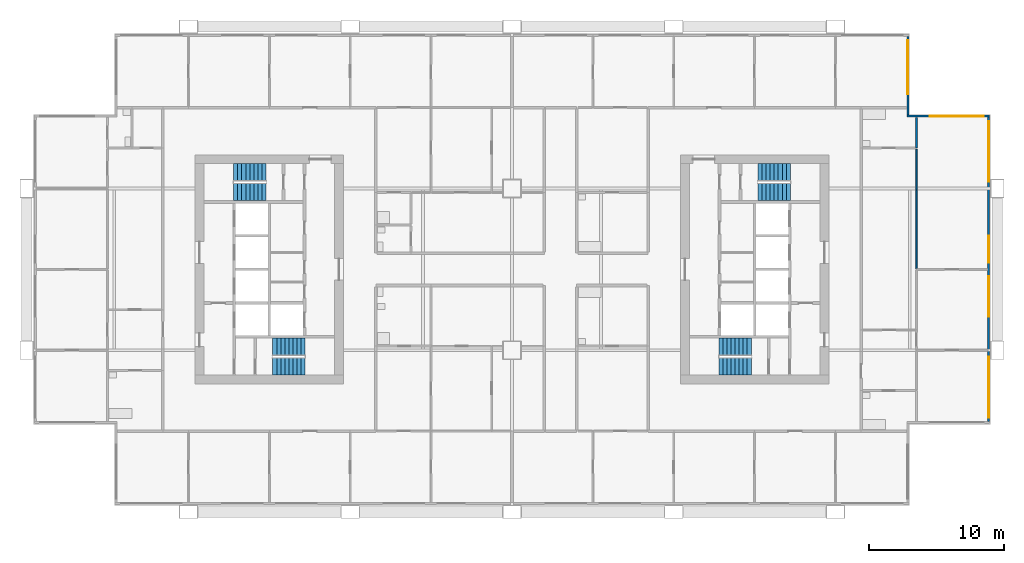
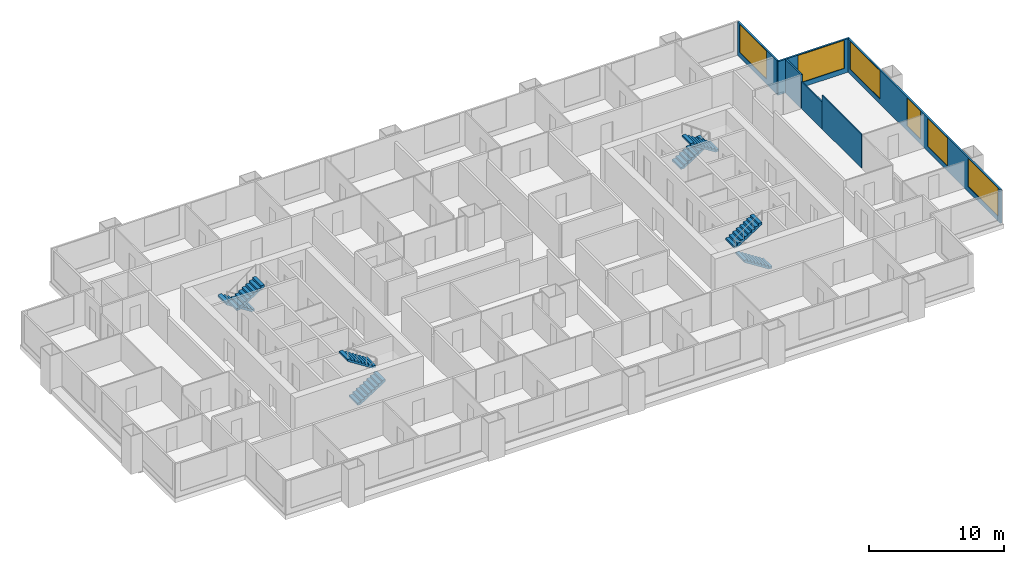
# One storey, part 9 of 11: 8 stair flights, 6 walls, 6 windows, 6 openings, 4 elements without a shape of their own.
"""IFC4 building model written with IfcOpenShell, lengths in metres."""

from ifc_helpers import new_model, si_unit, direction, frame, frame_2d, origin, place, context, subcontext, project, spatial, polyline, rectangle, outline, extrude, material, layer, layer_set, type_object, element, fill, aggregate, save


model = new_model("IFC4")

# Units and contexts
model_context = context("Model", 3, precision=1e-05, world=origin(), true_north=direction((0.0, 1.0)))
body_context = subcontext(model_context, "Body", "Model", "MODEL_VIEW")
ifc_project = project(units=[si_unit("LENGTHUNIT", "METRE"), si_unit("AREAUNIT", "SQUARE_METRE"), si_unit("VOLUMEUNIT", "CUBIC_METRE"), si_unit("PLANEANGLEUNIT", "RADIAN"), si_unit("MASSUNIT", "GRAM", prefix="KILO")], contexts=[model_context])

# Site, building, storey
site_placement = place(None, origin())
site = spatial("IfcSite", under=ifc_project, at=site_placement, CompositionType="ELEMENT")
building_placement = place(site_placement, origin())
building = spatial("IfcBuilding", under=site, at=building_placement, Name="Kitamizu Gate Tower and Museum", CompositionType="ELEMENT")
storey_placement = place(building_placement, frame((0.0, 0.0, 127.64990234375)))
storey = spatial("IfcBuildingStorey", under=building, at=storey_placement, Name="L33", CompositionType="ELEMENT", Elevation=127.64990234375)

# Walls
ifc_material_1 = material(Name="Gypsum board on galvanised stud")
ifc_layer_1 = layer(ifc_material_1, 0.10009765625)
ifc_layer_set_1 = layer_set([ifc_layer_1], Name="Gypsum board on galvanised stud")
wall_type_1 = type_object("IfcWallType", Name="Partition 100 NOT RATED", PredefinedType="PARTITIONING", material=ifc_layer_set_1)
wall_1_placement = place(storey_placement, frame((66.0, 38.925048828125, 0.0), z_axis=(0.0, 0.0, 1.0), x_axis=(0.0, -1.0, 0.0)))
element("IfcWall", 1, at=wall_1_placement, inside=storey, type_object=wall_type_1, Name="Partition L33-131", PredefinedType="PARTITIONING", context=body_context, shape_type="SweptSolid", body=[
    extrude(rectangle(XDim=3.025146484375, YDim=0.10009765625, at=frame_2d((1.5126953125, 0.0))), origin(), (0.0, 0.0, 1.0), 2.4501953125),
])
wall_2_placement = place(storey_placement, frame((66.0, 35.89990234375, 0.0), z_axis=(0.0, 0.0, 1.0), x_axis=(0.0, -1.0, 0.0)))
element("IfcWall", 2, at=wall_2_placement, inside=storey, type_object=wall_type_1, Name="Partition L33-132", PredefinedType="PARTITIONING", context=body_context, shape_type="SweptSolid", body=[
    extrude(rectangle(XDim=5.849853515625, YDim=0.10009765625, at=frame_2d((2.9248046875, 0.0))), origin(), (0.0, 0.0, 1.0), 3.050048828125),
])
ifc_material_2 = material(Name="Gypsum board on galvanised stud")
ifc_layer_2 = layer(ifc_material_2, 0.14990234375)
ifc_layer_set_2 = layer_set([ifc_layer_2], Name="Gypsum board on galvanised stud")
wall_type_2 = type_object("IfcWallType", Name="Partition 150", PredefinedType="PARTITIONING", material=ifc_layer_set_2)
wall_3_placement = place(storey_placement, frame((66.0, 41.280029296875, 0.0), z_axis=(0.0, 0.0, 1.0), x_axis=(0.0, -1.0, 0.0)))
element("IfcWall", 3, at=wall_3_placement, inside=storey, type_object=wall_type_2, Name="Partition L33-133", PredefinedType="PARTITIONING", context=body_context, shape_type="SweptSolid", body=[
    extrude(rectangle(XDim=2.280029296875, YDim=0.14990234375, at=frame_2d((1.14013671875, 0.0))), origin(), (0.0, 0.0, 1.0), 3.050048828125),
])

# Wall, openings, windows
ifc_material_3 = material(Name="Bronze anodised aluminium frame with insulated spandrel and tinted glass", Category="aluminium")
ifc_layer_3 = layer(ifc_material_3, 0.14990234375)
ifc_layer_set_3 = layer_set([ifc_layer_3], Name="Bronze anodised aluminium frame with insulated spandrel and tinted glass")
wall_type_3 = type_object("IfcWallType", Name="WINDOW WALL 150 BRONZE FRAME EI 30", PredefinedType="ELEMENTEDWALL", material=ifc_layer_set_3)
wall_4_placement = place(storey_placement, frame((71.364990234375, 18.7099609375, 0.0), z_axis=(0.0, 0.0, 1.0), x_axis=(0.0, 1.0, 0.0)))
wall_4 = element("IfcWall", 4, at=wall_4_placement, inside=storey, type_object=wall_type_3, Name="Window wall east L33", PredefinedType="ELEMENTEDWALL", context=body_context, shape_type="SweptSolid", body=[
    extrude(rectangle(XDim=22.580078125, YDim=0.14990234375, at=frame_2d((11.2900390625, 0.0))), origin(), (0.0, 0.0, 1.0), 3.050048828125),
])
opening_1_placement = place(wall_4_placement, frame((0.2900390625, 0.0, 0.449951171875)))
opening_1 = element("IfcOpeningElement", 5, at=opening_1_placement, cuts=wall_4, Name="Opening W15", PredefinedType="OPENING", context=body_context, shape_type="SweptSolid", body=[
    extrude(rectangle(XDim=4.5, YDim=2.550048828125, at=frame_2d((2.25, 1.27490234375))), frame((0.0, 0.0849609375, 0.0), z_axis=(0.0, -1.0, 0.0), x_axis=(1.0, 0.0, 0.0)), (0.0, 0.0, 1.0), 0.169921875),
])
opening_2_placement = place(wall_4_placement, frame((7.7900390625, 0.0, 0.449951171875)))
opening_2 = element("IfcOpeningElement", 6, at=opening_2_placement, cuts=wall_4, Name="Opening W33", PredefinedType="OPENING", context=body_context, shape_type="SweptSolid", body=[
    extrude(rectangle(XDim=3.0, YDim=2.550048828125, at=frame_2d((1.5, 1.27490234375))), frame((0.0, 0.0849609375, 0.0), z_axis=(0.0, -1.0, 0.0), x_axis=(1.0, 0.0, 0.0)), (0.0, 0.0, 1.0), 0.169921875),
])
opening_3_placement = place(wall_4_placement, frame((11.7900390625, 0.0, 0.449951171875)))
opening_3 = element("IfcOpeningElement", 7, at=opening_3_placement, cuts=wall_4, Name="Opening W2", PredefinedType="OPENING", context=body_context, shape_type="SweptSolid", body=[
    extrude(rectangle(XDim=2.0, YDim=2.550048828125, at=frame_2d((1.0, 1.27490234375))), frame((0.0, 0.0849609375, 0.0), z_axis=(0.0, -1.0, 0.0), x_axis=(1.0, 0.0, 0.0)), (0.0, 0.0, 1.0), 0.169921875),
])
opening_4_placement = place(wall_4_placement, frame((17.7900390625, 0.0, 0.449951171875)))
opening_4 = element("IfcOpeningElement", 8, at=opening_4_placement, cuts=wall_4, Name="Opening W15", PredefinedType="OPENING", context=body_context, shape_type="SweptSolid", body=[
    extrude(rectangle(XDim=4.5, YDim=2.550048828125, at=frame_2d((2.25, 1.27490234375))), frame((0.0, 0.0849609375, 0.0), z_axis=(0.0, -1.0, 0.0), x_axis=(1.0, 0.0, 0.0)), (0.0, 0.0, 1.0), 0.169921875),
])
ifc_material_4 = material(Name="Bronze anodised aluminium frame, tinted triple glazing", Category="aluminium")
window_type_1 = type_object("IfcWindowType", Name="WINDOW 2000 x 2550 SILL 450", PartitioningType="SINGLE_PANEL", PredefinedType="WINDOW", material=ifc_material_4)
window_1_placement = place(opening_3_placement, origin())
window_1 = element("IfcWindow", 9, at=window_1_placement, inside=storey, type_object=window_type_1, Name="Window W2 L33", OverallHeight=2.550048828125, OverallWidth=2.0, PartitioningType="SINGLE_PANEL", PredefinedType="WINDOW", context=body_context, shape_type="SweptSolid", body=[
    extrude(rectangle(XDim=2.0, YDim=2.550048828125, at=frame_2d((1.0, 1.27490234375))), frame((0.0, 0.030029296875, 0.0), z_axis=(0.0, -1.0, 0.0), x_axis=(1.0, 0.0, 0.0)), (0.0, 0.0, 1.0), 0.06005859375),
])
fill(opening_3, window_1)
ifc_material_5 = material(Name="Bronze anodised aluminium frame, tinted triple glazing", Category="aluminium")
window_type_2 = type_object("IfcWindowType", Name="WINDOW 3000 x 2550 SILL 450", PartitioningType="SINGLE_PANEL", PredefinedType="WINDOW", material=ifc_material_5)
window_2_placement = place(opening_2_placement, origin())
window_2 = element("IfcWindow", 10, at=window_2_placement, inside=storey, type_object=window_type_2, Name="Window W33 L33", OverallHeight=2.550048828125, OverallWidth=3.0, PartitioningType="SINGLE_PANEL", PredefinedType="WINDOW", context=body_context, shape_type="SweptSolid", body=[
    extrude(rectangle(XDim=3.0, YDim=2.550048828125, at=frame_2d((1.5, 1.27490234375))), frame((0.0, 0.030029296875, 0.0), z_axis=(0.0, -1.0, 0.0), x_axis=(1.0, 0.0, 0.0)), (0.0, 0.0, 1.0), 0.06005859375),
])
fill(opening_2, window_2)
ifc_material_6 = material(Name="Bronze anodised aluminium frame, tinted triple glazing", Category="aluminium")
window_type_3 = type_object("IfcWindowType", Name="WINDOW 4500 x 2550 SILL 450", PartitioningType="SINGLE_PANEL", PredefinedType="WINDOW", material=ifc_material_6)
window_3_placement = place(opening_1_placement, origin())
window_3 = element("IfcWindow", 11, at=window_3_placement, inside=storey, type_object=window_type_3, Name="Window W15 L33", OverallHeight=2.550048828125, OverallWidth=4.5, PartitioningType="SINGLE_PANEL", PredefinedType="WINDOW", context=body_context, shape_type="SweptSolid", body=[
    extrude(rectangle(XDim=4.5, YDim=2.550048828125, at=frame_2d((2.25, 1.27490234375))), frame((0.0, 0.030029296875, 0.0), z_axis=(0.0, -1.0, 0.0), x_axis=(1.0, 0.0, 0.0)), (0.0, 0.0, 1.0), 0.06005859375),
])
fill(opening_1, window_3)
window_4_placement = place(opening_4_placement, origin())
window_4 = element("IfcWindow", 12, at=window_4_placement, inside=storey, type_object=window_type_3, Name="Window W15 L33", OverallHeight=2.550048828125, OverallWidth=4.5, PartitioningType="SINGLE_PANEL", PredefinedType="WINDOW", context=body_context, shape_type="SweptSolid", body=[
    extrude(rectangle(XDim=4.5, YDim=2.550048828125, at=frame_2d((2.25, 1.27490234375))), frame((0.0, 0.030029296875, 0.0), z_axis=(0.0, -1.0, 0.0), x_axis=(1.0, 0.0, 0.0)), (0.0, 0.0, 1.0), 0.06005859375),
])
fill(opening_4, window_4)

# Wall, opening, window
wall_5_placement = place(storey_placement, frame((65.2900390625, 41.364990234375, 0.0), z_axis=(0.0, 0.0, 1.0), x_axis=(1.0, 0.0, 0.0)))
wall_5 = element("IfcWall", 13, at=wall_5_placement, inside=storey, type_object=wall_type_3, Name="Window wall north L33", PredefinedType="ELEMENTEDWALL", context=body_context, shape_type="SweptSolid", body=[
    extrude(rectangle(XDim=6.14990234375, YDim=0.14990234375, at=frame_2d((3.074951171875, 0.0))), origin(), (0.0, 0.0, 1.0), 3.050048828125),
])
opening_5_placement = place(wall_5_placement, frame((1.7099609375, 0.0, 0.449951171875)))
opening_5 = element("IfcOpeningElement", 14, at=opening_5_placement, cuts=wall_5, Name="Opening W16", PredefinedType="OPENING", context=body_context, shape_type="SweptSolid", body=[
    extrude(rectangle(XDim=4.0, YDim=2.550048828125, at=frame_2d((2.0, 1.27490234375))), frame((0.0, 0.0849609375, 0.0), z_axis=(0.0, -1.0, 0.0), x_axis=(1.0, 0.0, 0.0)), (0.0, 0.0, 1.0), 0.169921875),
])
ifc_material_7 = material(Name="Bronze anodised aluminium frame, tinted triple glazing", Category="aluminium")
window_type_4 = type_object("IfcWindowType", Name="WINDOW 4000 x 2550 SILL 450", PartitioningType="SINGLE_PANEL", PredefinedType="WINDOW", material=ifc_material_7)
window_5_placement = place(opening_5_placement, origin())
window_5 = element("IfcWindow", 15, at=window_5_placement, inside=storey, type_object=window_type_4, Name="Window W16 L33", OverallHeight=2.550048828125, OverallWidth=4.0, PartitioningType="SINGLE_PANEL", PredefinedType="WINDOW", context=body_context, shape_type="SweptSolid", body=[
    extrude(rectangle(XDim=4.0, YDim=2.550048828125, at=frame_2d((2.0, 1.27490234375))), frame((0.0, 0.030029296875, 0.0), z_axis=(0.0, -1.0, 0.0), x_axis=(1.0, 0.0, 0.0)), (0.0, 0.0, 1.0), 0.06005859375),
])
fill(opening_5, window_5)

wall_6_placement = place(storey_placement, frame((65.364990234375, 41.43994140625, 0.0), z_axis=(0.0, 0.0, 1.0), x_axis=(0.0, 1.0, 0.0)))
wall_6 = element("IfcWall", 16, at=wall_6_placement, inside=storey, type_object=wall_type_3, Name="Window wall east L33", PredefinedType="ELEMENTEDWALL", context=body_context, shape_type="SweptSolid", body=[
    extrude(rectangle(XDim=5.85009765625, YDim=0.14990234375, at=frame_2d((2.925048828125, 0.0))), origin(), (0.0, 0.0, 1.0), 3.050048828125),
])
opening_6_placement = place(wall_6_placement, frame((1.56005859375, 0.0, 0.449951171875)))
opening_6 = element("IfcOpeningElement", 17, at=opening_6_placement, cuts=wall_6, Name="Opening W16", PredefinedType="OPENING", context=body_context, shape_type="SweptSolid", body=[
    extrude(rectangle(XDim=4.0, YDim=2.550048828125, at=frame_2d((2.0, 1.27490234375))), frame((0.0, 0.0849609375, 0.0), z_axis=(0.0, -1.0, 0.0), x_axis=(1.0, 0.0, 0.0)), (0.0, 0.0, 1.0), 0.169921875),
])
window_6_placement = place(opening_6_placement, origin())
window_6 = element("IfcWindow", 18, at=window_6_placement, inside=storey, type_object=window_type_4, Name="Window W16 L33", OverallHeight=2.550048828125, OverallWidth=4.0, PartitioningType="SINGLE_PANEL", PredefinedType="WINDOW", context=body_context, shape_type="SweptSolid", body=[
    extrude(rectangle(XDim=4.0, YDim=2.550048828125, at=frame_2d((2.0, 1.27490234375))), frame((0.0, 0.030029296875, 0.0), z_axis=(0.0, -1.0, 0.0), x_axis=(1.0, 0.0, 0.0)), (0.0, 0.0, 1.0), 0.06005859375),
])
fill(opening_6, window_6)

# Stair, stair flights
ifc_material_8 = material(Name="Concrete Fc42", Category="concrete")
stair_type = type_object("IfcStairType", Name="Exit stair 1275 wide 192 rise 300 going", PredefinedType="HALF_TURN_STAIR", material=ifc_material_8)
stair_1_placement = place(storey_placement, origin())
stair_1 = element("IfcStair", 19, at=stair_1_placement, inside=storey, type_object=stair_type, Name="Exit stair ST1", PredefinedType="HALF_TURN_STAIR")
ifc_material_9 = material(Name="Concrete Fc42", Category="concrete")
stair_flight_type = type_object("IfcStairFlightType", Name="Stair flight 1275 wide 192 rise 300 going", PredefinedType="STRAIGHT", material=ifc_material_9)
stair_flight_1_placement = place(storey_placement, frame((18.25, 22.78759765625, 0.0), z_axis=(0.0, 0.0, 1.0), x_axis=(1.0, 0.0, 0.0)))
stair_flight_1 = element("IfcStairFlight", 20, at=stair_flight_1_placement, type_object=stair_flight_type, Name="ST1 flight 1", NumberOfRisers=9, NumberOfTreads=8, PredefinedType="STRAIGHT", RiserHeight=0.191666667, TreadLength=0.3, context=body_context, shape_type="SweptSolid", body=[
    extrude(outline(polyline([(0.0, 0.0), (0.0, 0.191650390625), (0.300048828125, 0.191650390625), (0.300048828125, 0.38330078125), (0.60009765625, 0.38330078125), (0.60009765625, 0.574951171875), (0.89990234375, 0.574951171875), (0.89990234375, 0.7666015625), (1.199951171875, 0.7666015625), (1.199951171875, 0.958251953125), (1.5, 0.958251953125), (1.5, 1.14990234375), (1.800048828125, 1.14990234375), (1.800048828125, 1.341552734375), (2.10009765625, 1.341552734375), (2.10009765625, 1.533447265625), (2.39990234375, 1.533447265625), (2.39990234375, 1.72509765625), (2.39990234375, 1.35546875), (0.2783203125, 0.0), (0.0, 0.0)])), frame((0.0, 0.637451171875, 0.0), z_axis=(0.0, -1.0, 0.0), x_axis=(1.0, 0.0, 0.0)), (0.0, 0.0, 1.0), 1.27490234375),
])
stair_flight_2_placement = place(storey_placement, frame((20.64990234375, 24.262451171875, 1.72509765625), z_axis=(0.0, 0.0, 1.0), x_axis=(-1.0, 0.0, 0.0)))
stair_flight_2 = element("IfcStairFlight", 21, at=stair_flight_2_placement, type_object=stair_flight_type, Name="ST1 flight 2", NumberOfRisers=9, NumberOfTreads=8, PredefinedType="STRAIGHT", RiserHeight=0.191666667, TreadLength=0.3, context=body_context, shape_type="SweptSolid", body=[
    extrude(outline(polyline([(0.0, 0.0), (0.0, 0.191650390625), (0.300048828125, 0.191650390625), (0.300048828125, 0.38330078125), (0.60009765625, 0.38330078125), (0.60009765625, 0.574951171875), (0.89990234375, 0.574951171875), (0.89990234375, 0.7666015625), (1.199951171875, 0.7666015625), (1.199951171875, 0.958251953125), (1.5, 0.958251953125), (1.5, 1.14990234375), (1.800048828125, 1.14990234375), (1.800048828125, 1.341552734375), (2.10009765625, 1.341552734375), (2.10009765625, 1.533447265625), (2.39990234375, 1.533447265625), (2.39990234375, 1.72509765625), (2.39990234375, 1.35546875), (0.2783203125, 0.0), (0.0, 0.0)])), frame((0.0, 0.637451171875, 0.0), z_axis=(0.0, -1.0, 0.0), x_axis=(1.0, 0.0, 0.0)), (0.0, 0.0, 1.0), 1.27490234375),
])
aggregate(stair_1, [stair_flight_1, stair_flight_2])

stair_2_placement = place(storey_placement, origin())
stair_2 = element("IfcStair", 22, at=stair_2_placement, inside=storey, type_object=stair_type, Name="Exit stair ST2", PredefinedType="HALF_TURN_STAIR")
stair_flight_3_placement = place(storey_placement, frame((17.75, 37.21240234375, 0.0), z_axis=(0.0, 0.0, 1.0), x_axis=(-1.0, 0.0, 0.0)))
stair_flight_3 = element("IfcStairFlight", 23, at=stair_flight_3_placement, type_object=stair_flight_type, Name="ST2 flight 1", NumberOfRisers=9, NumberOfTreads=8, PredefinedType="STRAIGHT", RiserHeight=0.191666667, TreadLength=0.3, context=body_context, shape_type="SweptSolid", body=[
    extrude(outline(polyline([(0.0, 0.0), (0.0, 0.191650390625), (0.300048828125, 0.191650390625), (0.300048828125, 0.38330078125), (0.60009765625, 0.38330078125), (0.60009765625, 0.574951171875), (0.89990234375, 0.574951171875), (0.89990234375, 0.7666015625), (1.199951171875, 0.7666015625), (1.199951171875, 0.958251953125), (1.5, 0.958251953125), (1.5, 1.14990234375), (1.800048828125, 1.14990234375), (1.800048828125, 1.341552734375), (2.10009765625, 1.341552734375), (2.10009765625, 1.533447265625), (2.39990234375, 1.533447265625), (2.39990234375, 1.72509765625), (2.39990234375, 1.35546875), (0.2783203125, 0.0), (0.0, 0.0)])), frame((0.0, 0.637451171875, 0.0), z_axis=(0.0, -1.0, 0.0), x_axis=(1.0, 0.0, 0.0)), (0.0, 0.0, 1.0), 1.27490234375),
])
stair_flight_4_placement = place(storey_placement, frame((15.35009765625, 35.737548828125, 1.72509765625), z_axis=(0.0, 0.0, 1.0), x_axis=(1.0, 0.0, 0.0)))
stair_flight_4 = element("IfcStairFlight", 24, at=stair_flight_4_placement, type_object=stair_flight_type, Name="ST2 flight 2", NumberOfRisers=9, NumberOfTreads=8, PredefinedType="STRAIGHT", RiserHeight=0.191666667, TreadLength=0.3, context=body_context, shape_type="SweptSolid", body=[
    extrude(outline(polyline([(0.0, 0.0), (0.0, 0.191650390625), (0.300048828125, 0.191650390625), (0.300048828125, 0.38330078125), (0.60009765625, 0.38330078125), (0.60009765625, 0.574951171875), (0.89990234375, 0.574951171875), (0.89990234375, 0.7666015625), (1.199951171875, 0.7666015625), (1.199951171875, 0.958251953125), (1.5, 0.958251953125), (1.5, 1.14990234375), (1.800048828125, 1.14990234375), (1.800048828125, 1.341552734375), (2.10009765625, 1.341552734375), (2.10009765625, 1.533447265625), (2.39990234375, 1.533447265625), (2.39990234375, 1.72509765625), (2.39990234375, 1.35546875), (0.2783203125, 0.0), (0.0, 0.0)])), frame((0.0, 0.637451171875, 0.0), z_axis=(0.0, -1.0, 0.0), x_axis=(1.0, 0.0, 0.0)), (0.0, 0.0, 1.0), 1.27490234375),
])
aggregate(stair_2, [stair_flight_3, stair_flight_4])

stair_3_placement = place(storey_placement, origin())
stair_3 = element("IfcStair", 25, at=stair_3_placement, inside=storey, type_object=stair_type, Name="Exit stair ST3", PredefinedType="HALF_TURN_STAIR")
stair_flight_5_placement = place(storey_placement, frame((53.75, 22.78759765625, 0.0), z_axis=(0.0, 0.0, 1.0), x_axis=(-1.0, 0.0, 0.0)))
stair_flight_5 = element("IfcStairFlight", 26, at=stair_flight_5_placement, type_object=stair_flight_type, Name="ST3 flight 1", NumberOfRisers=9, NumberOfTreads=8, PredefinedType="STRAIGHT", RiserHeight=0.191666667, TreadLength=0.3, context=body_context, shape_type="SweptSolid", body=[
    extrude(outline(polyline([(0.0, 0.0), (0.0, 0.191650390625), (0.300048828125, 0.191650390625), (0.300048828125, 0.38330078125), (0.60009765625, 0.38330078125), (0.60009765625, 0.574951171875), (0.89990234375, 0.574951171875), (0.89990234375, 0.7666015625), (1.199951171875, 0.7666015625), (1.199951171875, 0.958251953125), (1.5, 0.958251953125), (1.5, 1.14990234375), (1.800048828125, 1.14990234375), (1.800048828125, 1.341552734375), (2.10009765625, 1.341552734375), (2.10009765625, 1.533447265625), (2.39990234375, 1.533447265625), (2.39990234375, 1.72509765625), (2.39990234375, 1.35546875), (0.2783203125, 0.0), (0.0, 0.0)])), frame((0.0, 0.637451171875, 0.0), z_axis=(0.0, -1.0, 0.0), x_axis=(1.0, 0.0, 0.0)), (0.0, 0.0, 1.0), 1.27490234375),
])
stair_flight_6_placement = place(storey_placement, frame((51.35009765625, 24.262451171875, 1.72509765625), z_axis=(0.0, 0.0, 1.0), x_axis=(1.0, 0.0, 0.0)))
stair_flight_6 = element("IfcStairFlight", 27, at=stair_flight_6_placement, type_object=stair_flight_type, Name="ST3 flight 2", NumberOfRisers=9, NumberOfTreads=8, PredefinedType="STRAIGHT", RiserHeight=0.191666667, TreadLength=0.3, context=body_context, shape_type="SweptSolid", body=[
    extrude(outline(polyline([(0.0, 0.0), (0.0, 0.191650390625), (0.300048828125, 0.191650390625), (0.300048828125, 0.38330078125), (0.60009765625, 0.38330078125), (0.60009765625, 0.574951171875), (0.89990234375, 0.574951171875), (0.89990234375, 0.7666015625), (1.199951171875, 0.7666015625), (1.199951171875, 0.958251953125), (1.5, 0.958251953125), (1.5, 1.14990234375), (1.800048828125, 1.14990234375), (1.800048828125, 1.341552734375), (2.10009765625, 1.341552734375), (2.10009765625, 1.533447265625), (2.39990234375, 1.533447265625), (2.39990234375, 1.72509765625), (2.39990234375, 1.35546875), (0.2783203125, 0.0), (0.0, 0.0)])), frame((0.0, 0.637451171875, 0.0), z_axis=(0.0, -1.0, 0.0), x_axis=(1.0, 0.0, 0.0)), (0.0, 0.0, 1.0), 1.27490234375),
])
aggregate(stair_3, [stair_flight_5, stair_flight_6])

stair_4_placement = place(storey_placement, origin())
stair_4 = element("IfcStair", 28, at=stair_4_placement, inside=storey, type_object=stair_type, Name="Exit stair ST4", PredefinedType="HALF_TURN_STAIR")
stair_flight_7_placement = place(storey_placement, frame((54.25, 37.21240234375, 0.0), z_axis=(0.0, 0.0, 1.0), x_axis=(1.0, 0.0, 0.0)))
stair_flight_7 = element("IfcStairFlight", 29, at=stair_flight_7_placement, type_object=stair_flight_type, Name="ST4 flight 1", NumberOfRisers=9, NumberOfTreads=8, PredefinedType="STRAIGHT", RiserHeight=0.191666667, TreadLength=0.3, context=body_context, shape_type="SweptSolid", body=[
    extrude(outline(polyline([(0.0, 0.0), (0.0, 0.191650390625), (0.300048828125, 0.191650390625), (0.300048828125, 0.38330078125), (0.60009765625, 0.38330078125), (0.60009765625, 0.574951171875), (0.89990234375, 0.574951171875), (0.89990234375, 0.7666015625), (1.199951171875, 0.7666015625), (1.199951171875, 0.958251953125), (1.5, 0.958251953125), (1.5, 1.14990234375), (1.800048828125, 1.14990234375), (1.800048828125, 1.341552734375), (2.10009765625, 1.341552734375), (2.10009765625, 1.533447265625), (2.39990234375, 1.533447265625), (2.39990234375, 1.72509765625), (2.39990234375, 1.35546875), (0.2783203125, 0.0), (0.0, 0.0)])), frame((0.0, 0.637451171875, 0.0), z_axis=(0.0, -1.0, 0.0), x_axis=(1.0, 0.0, 0.0)), (0.0, 0.0, 1.0), 1.27490234375),
])
stair_flight_8_placement = place(storey_placement, frame((56.64990234375, 35.737548828125, 1.72509765625), z_axis=(0.0, 0.0, 1.0), x_axis=(-1.0, 0.0, 0.0)))
stair_flight_8 = element("IfcStairFlight", 30, at=stair_flight_8_placement, type_object=stair_flight_type, Name="ST4 flight 2", NumberOfRisers=9, NumberOfTreads=8, PredefinedType="STRAIGHT", RiserHeight=0.191666667, TreadLength=0.3, context=body_context, shape_type="SweptSolid", body=[
    extrude(outline(polyline([(0.0, 0.0), (0.0, 0.191650390625), (0.300048828125, 0.191650390625), (0.300048828125, 0.38330078125), (0.60009765625, 0.38330078125), (0.60009765625, 0.574951171875), (0.89990234375, 0.574951171875), (0.89990234375, 0.7666015625), (1.199951171875, 0.7666015625), (1.199951171875, 0.958251953125), (1.5, 0.958251953125), (1.5, 1.14990234375), (1.800048828125, 1.14990234375), (1.800048828125, 1.341552734375), (2.10009765625, 1.341552734375), (2.10009765625, 1.533447265625), (2.39990234375, 1.533447265625), (2.39990234375, 1.72509765625), (2.39990234375, 1.35546875), (0.2783203125, 0.0), (0.0, 0.0)])), frame((0.0, 0.637451171875, 0.0), z_axis=(0.0, -1.0, 0.0), x_axis=(1.0, 0.0, 0.0)), (0.0, 0.0, 1.0), 1.27490234375),
])
aggregate(stair_4, [stair_flight_7, stair_flight_8])

save(model, "model.ifc")
